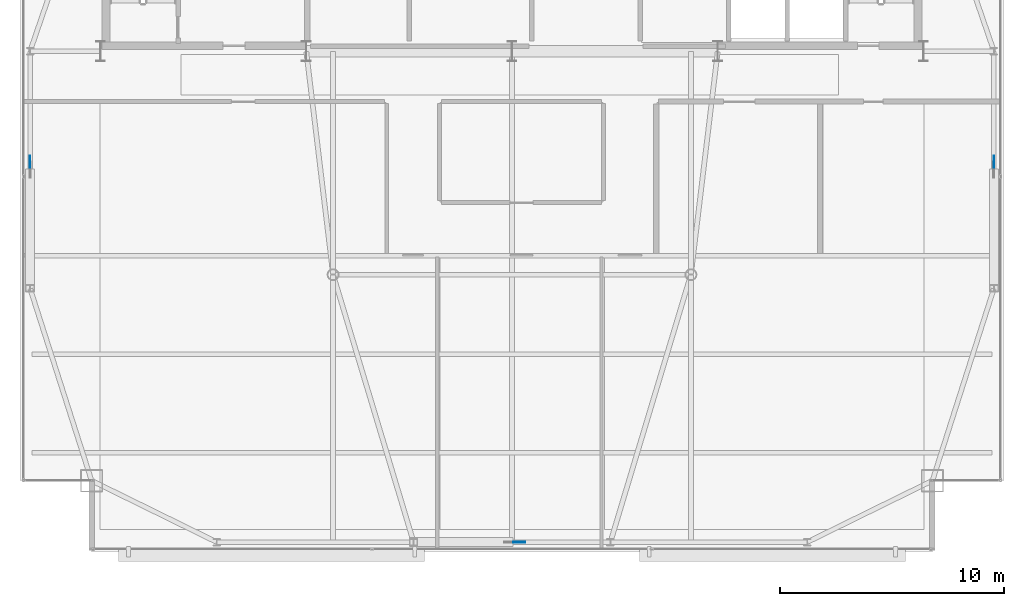
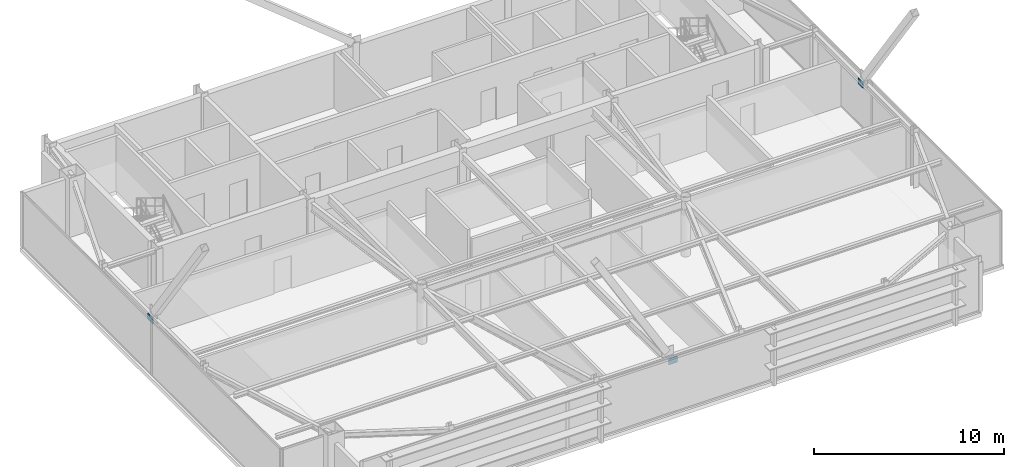
# One storey, part 19 of 24: 3 plates.
"""IFC4 building model written with IfcOpenShell, lengths in metres."""

from ifc_helpers import new_model, si_unit, direction, frame, origin, origin_2d, place, context, subcontext, project, spatial, rectangle, extrude, source, transform, mapped, material, layer, layer_set, type_object, type_shapes, element, save


model = new_model("IFC4")

# Units and contexts
model_context = context("Model", 3, precision=1e-05, world=origin(), true_north=direction((0.0, 1.0)))
body_context = subcontext(model_context, "Body", "Model", "MODEL_VIEW")
ifc_project = project(units=[si_unit("LENGTHUNIT", "METRE"), si_unit("AREAUNIT", "SQUARE_METRE"), si_unit("VOLUMEUNIT", "CUBIC_METRE"), si_unit("PLANEANGLEUNIT", "RADIAN"), si_unit("MASSUNIT", "GRAM", prefix="KILO")], contexts=[model_context])

# Site, building, storey
site_placement = place(None, origin())
site = spatial("IfcSite", under=ifc_project, at=site_placement, CompositionType="ELEMENT")
building_placement = place(site_placement, origin())
building = spatial("IfcBuilding", under=site, at=building_placement, Name="Varnel Quay Broadcast Tower", CompositionType="ELEMENT")
storey_placement = place(building_placement, frame((0.0, 0.0, 277.39990234375)))
storey = spatial("IfcBuildingStorey", under=building, at=storey_placement, Name="L69", CompositionType="ELEMENT", Elevation=277.39990234375)

# Plates
ifc_material = material(Name="Structural Steel CSA G40.21 350WT", Category="steel")
ifc_layer = layer(ifc_material, 0.031982421875, Name="Structural Steel CSA G40.21 350WT")
ifc_layer_set = layer_set([ifc_layer], Name="Structural Steel CSA G40.21 350WT")
plate_type = type_object("IfcPlateType", Name="Plate_EndCap", PredefinedType="USERDEFINED", material=ifc_layer_set)
shared_shape = source(origin(), body_context, "Body", "SweptSolid", [
    extrude(rectangle(XDim=0.5400390625, YDim=0.031982421875, at=origin_2d()), origin(), (0.0, 0.0, 1.0), 0.3798828125),
])
type_shapes(plate_type, [shared_shape])
for number, where, z_axis, x_axis, name in (
    (1, (34.32373046875, 13.64990234375, 2.936767578125), (0.0, 0.0, 1.0), (1.0, 0.0, 0.0), "Zone 5 Mega-Brace S-C1T2 Diag B1 End Connection Plate P1"),
    (2, (12.449951171875, 30.6591796875, 2.97998046875), (0.0, 0.0, 1.0), (0.0, 1.0, 0.0), "Zone 5 Mega-Brace W-FT2 Diag B1 End Connection Plate P1"),
    (3, (55.550048828125, 30.6591796875, 2.97998046875), (0.0, 0.0, 1.0), (0.0, 1.0, 0.0), "Zone 5 Mega-Brace E-FT2 Diag B1 End Connection Plate P1"),
):
    element("IfcPlate", number, at=place(storey_placement, frame(where, z_axis=z_axis, x_axis=x_axis)), inside=storey, type_object=plate_type, Name=name, ObjectType="CAP_PLATE", PredefinedType="USERDEFINED", context=body_context, shape_type="MappedRepresentation", body=[
        mapped(shared_shape, transform((0.0, 0.0, 0.0), x_axis=(1.0, 0.0, 0.0), y_axis=(0.0, 1.0, 0.0), z_axis=(0.0, 0.0, 1.0), scale=1.0)),
    ])

save(model, "model.ifc")
